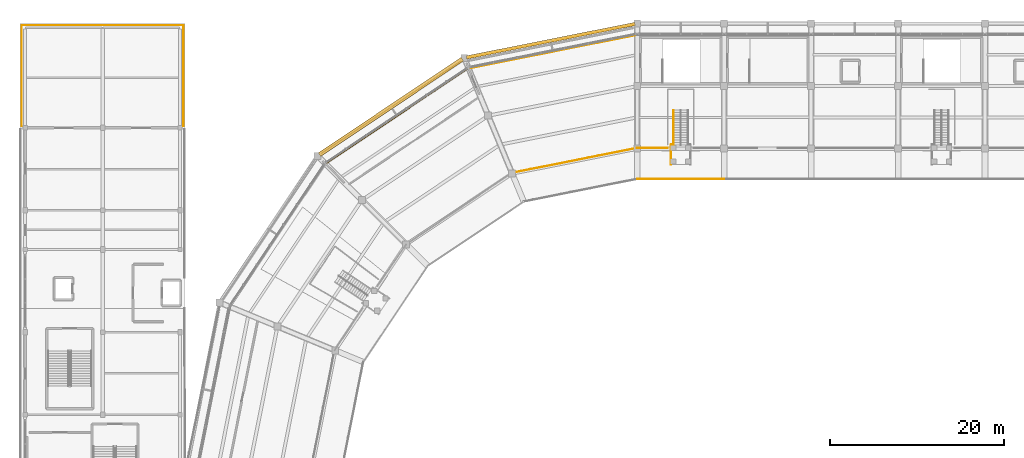
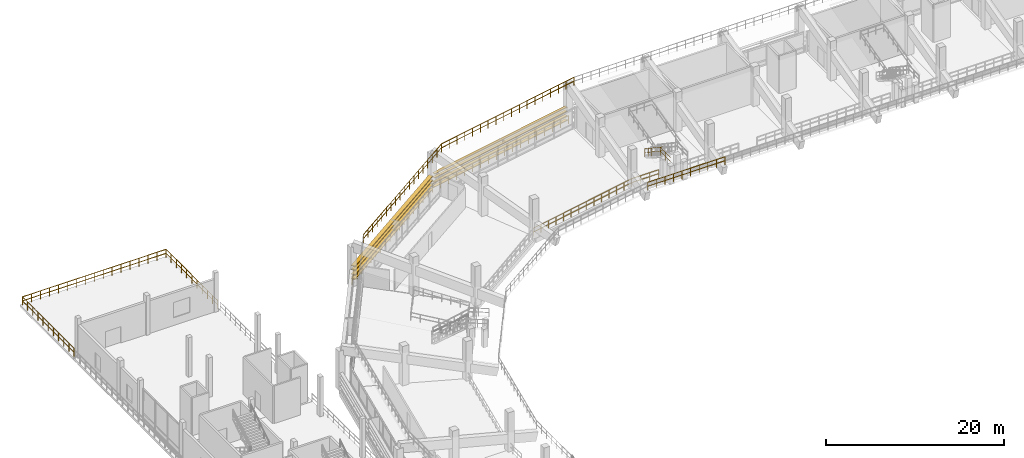
# One storey, part 93 of 96: 11 railings, 8 shading devices.
"""IFC4 building model written with IfcOpenShell, lengths in metres."""

from ifc_helpers import new_model, si_unit, direction, frame, origin, origin_2d, place, context, subcontext, project, spatial, rectangle, circle, extrude, material, layer, layer_set, type_object, element, save


model = new_model("IFC4")

# Units and contexts
model_context = context("Model", 3, precision=1e-05, world=origin(), true_north=direction((0.0, 1.0)))
body_context = subcontext(model_context, "Body", "Model", "MODEL_VIEW")
ifc_project = project(units=[si_unit("LENGTHUNIT", "METRE"), si_unit("AREAUNIT", "SQUARE_METRE"), si_unit("VOLUMEUNIT", "CUBIC_METRE"), si_unit("PLANEANGLEUNIT", "RADIAN"), si_unit("MASSUNIT", "GRAM", prefix="KILO")], contexts=[model_context])

# Site, building, storey
site_placement = place(None, origin())
site = spatial("IfcSite", under=ifc_project, at=site_placement, CompositionType="ELEMENT")
building_placement = place(site_placement, origin())
building = spatial("IfcBuilding", under=site, at=building_placement, Name="Candeia Ridge Stadium", CompositionType="ELEMENT")
storey_placement = place(building_placement, frame((0.0, 0.0, 21.60009765625)))
storey = spatial("IfcBuildingStorey", under=building, at=storey_placement, Name="L04", CompositionType="ELEMENT", Elevation=21.60009765625)

# Railings
ifc_material_1 = material(Name="Laminated Glass & Stainless Steel", Category="steel")
ifc_layer_1 = layer(ifc_material_1, 0.080078125, Name="Laminated Glass & Stainless Steel", Category="steel")
ifc_layer_set_1 = layer_set([ifc_layer_1], Name="Laminated Glass & Stainless Steel")
railing_type_1 = type_object("IfcRailingType", Name="Planted Terrace Glass-Steel Guard 1150", PredefinedType="BALUSTRADE", material=ifc_layer_set_1)
railing_1_placement = place(storey_placement, frame((0.199951171875, 135.199951171875, 0.0)))
element("IfcRailing", 1, at=railing_1_placement, inside=storey, type_object=railing_type_1, Name="Terrace perimeter balustrade GR-TER-211", PredefinedType="BALUSTRADE", context=body_context, shape_type="SweptSolid", body=[
    extrude(circle(Radius=0.02392578125, at=origin_2d()), frame((0.0, 0.0, 1.1259765625), z_axis=(0.0, 1.0, 0.0), x_axis=(-1.0, 0.0, 0.0)), (0.0, 0.0, 1.0), 11.60009765625),
    extrude(circle(Radius=0.02392578125, at=origin_2d()), frame((0.0, 0.0, 0.574951171875), z_axis=(0.0, 1.0, 0.0), x_axis=(-1.0, 0.0, 0.0)), (0.0, 0.0, 1.0), 11.60009765625),
    extrude(circle(Radius=0.02099609375, at=origin_2d()), origin(), (0.0, 0.0, 1.0), 1.101806640625),
    extrude(circle(Radius=0.02099609375, at=origin_2d()), frame((0.0, 1.159912109375, 0.0)), (0.0, 0.0, 1.0), 1.101806640625),
    extrude(circle(Radius=0.02099609375, at=origin_2d()), frame((0.0, 2.320068359375, 0.0)), (0.0, 0.0, 1.0), 1.101806640625),
    extrude(circle(Radius=0.02099609375, at=origin_2d()), frame((0.0, 3.47998046875, 0.0)), (0.0, 0.0, 1.0), 1.101806640625),
    extrude(circle(Radius=0.02099609375, at=origin_2d()), frame((0.0, 4.64013671875, 0.0)), (0.0, 0.0, 1.0), 1.101806640625),
    extrude(circle(Radius=0.02099609375, at=origin_2d()), frame((0.0, 5.800048828125, 0.0)), (0.0, 0.0, 1.0), 1.101806640625),
    extrude(circle(Radius=0.02099609375, at=origin_2d()), frame((0.0, 6.9599609375, 0.0)), (0.0, 0.0, 1.0), 1.101806640625),
    extrude(circle(Radius=0.02099609375, at=origin_2d()), frame((0.0, 8.1201171875, 0.0)), (0.0, 0.0, 1.0), 1.101806640625),
    extrude(circle(Radius=0.02099609375, at=origin_2d()), frame((0.0, 9.280029296875, 0.0)), (0.0, 0.0, 1.0), 1.101806640625),
    extrude(circle(Radius=0.02099609375, at=origin_2d()), frame((0.0, 10.440185546875, 0.0)), (0.0, 0.0, 1.0), 1.101806640625),
    extrude(circle(Radius=0.02099609375, at=origin_2d()), frame((0.0, 11.60009765625, 0.0)), (0.0, 0.0, 1.0), 1.101806640625),
])
railing_2_placement = place(storey_placement, frame((0.199951171875, 146.800048828125, 0.0)))
element("IfcRailing", 2, at=railing_2_placement, inside=storey, type_object=railing_type_1, Name="Terrace perimeter balustrade GR-TER-212", PredefinedType="BALUSTRADE", context=body_context, shape_type="SweptSolid", body=[
    extrude(circle(Radius=0.02392578125, at=origin_2d()), frame((0.0, 0.0, 1.1259765625), z_axis=(1.0, 0.0, 0.0), x_axis=(0.0, 1.0, 0.0)), (0.0, 0.0, 1.0), 18.60009765625),
    extrude(circle(Radius=0.02392578125, at=origin_2d()), frame((0.0, 0.0, 0.574951171875), z_axis=(1.0, 0.0, 0.0), x_axis=(0.0, 1.0, 0.0)), (0.0, 0.0, 1.0), 18.60009765625),
    extrude(circle(Radius=0.02099609375, at=origin_2d()), origin(), (0.0, 0.0, 1.0), 1.101806640625),
    extrude(circle(Radius=0.02099609375, at=origin_2d()), frame((1.16259765625, 0.0, 0.0)), (0.0, 0.0, 1.0), 1.101806640625),
    extrude(circle(Radius=0.02099609375, at=origin_2d()), frame((2.324951171875, 0.0, 0.0)), (0.0, 0.0, 1.0), 1.101806640625),
    extrude(circle(Radius=0.02099609375, at=origin_2d()), frame((3.487548828125, 0.0, 0.0)), (0.0, 0.0, 1.0), 1.101806640625),
    extrude(circle(Radius=0.02099609375, at=origin_2d()), frame((4.64990234375, 0.0, 0.0)), (0.0, 0.0, 1.0), 1.101806640625),
    extrude(circle(Radius=0.02099609375, at=origin_2d()), frame((5.8125, 0.0, 0.0)), (0.0, 0.0, 1.0), 1.101806640625),
    extrude(circle(Radius=0.02099609375, at=origin_2d()), frame((6.97509765625, 0.0, 0.0)), (0.0, 0.0, 1.0), 1.101806640625),
    extrude(circle(Radius=0.02099609375, at=origin_2d()), frame((8.137451171875, 0.0, 0.0)), (0.0, 0.0, 1.0), 1.101806640625),
    extrude(circle(Radius=0.02099609375, at=origin_2d()), frame((9.300048828125, 0.0, 0.0)), (0.0, 0.0, 1.0), 1.101806640625),
    extrude(circle(Radius=0.02099609375, at=origin_2d()), frame((10.462646484375, 0.0, 0.0)), (0.0, 0.0, 1.0), 1.101806640625),
    extrude(circle(Radius=0.02099609375, at=origin_2d()), frame((11.625, 0.0, 0.0)), (0.0, 0.0, 1.0), 1.101806640625),
    extrude(circle(Radius=0.02099609375, at=origin_2d()), frame((12.78759765625, 0.0, 0.0)), (0.0, 0.0, 1.0), 1.101806640625),
    extrude(circle(Radius=0.02099609375, at=origin_2d()), frame((13.9501953125, 0.0, 0.0)), (0.0, 0.0, 1.0), 1.101806640625),
    extrude(circle(Radius=0.02099609375, at=origin_2d()), frame((15.112548828125, 0.0, 0.0)), (0.0, 0.0, 1.0), 1.101806640625),
    extrude(circle(Radius=0.02099609375, at=origin_2d()), frame((16.275146484375, 0.0, 0.0)), (0.0, 0.0, 1.0), 1.101806640625),
    extrude(circle(Radius=0.02099609375, at=origin_2d()), frame((17.4375, 0.0, 0.0)), (0.0, 0.0, 1.0), 1.101806640625),
    extrude(circle(Radius=0.02099609375, at=origin_2d()), frame((18.60009765625, 0.0, 0.0)), (0.0, 0.0, 1.0), 1.101806640625),
])
railing_3_placement = place(storey_placement, frame((18.800048828125, 146.800048828125, 0.0)))
element("IfcRailing", 3, at=railing_3_placement, inside=storey, type_object=railing_type_1, Name="Terrace perimeter balustrade GR-TER-213", PredefinedType="BALUSTRADE", context=body_context, shape_type="SweptSolid", body=[
    extrude(circle(Radius=0.02392578125, at=origin_2d()), frame((0.0, 0.0, 1.1259765625), z_axis=(0.0, -1.0, 0.0), x_axis=(1.0, 0.0, 0.0)), (0.0, 0.0, 1.0), 11.60009765625),
    extrude(circle(Radius=0.02392578125, at=origin_2d()), frame((0.0, 0.0, 0.574951171875), z_axis=(0.0, -1.0, 0.0), x_axis=(1.0, 0.0, 0.0)), (0.0, 0.0, 1.0), 11.60009765625),
    extrude(circle(Radius=0.02099609375, at=origin_2d()), origin(), (0.0, 0.0, 1.0), 1.101806640625),
    extrude(circle(Radius=0.02099609375, at=origin_2d()), frame((0.0, -1.159912109375, 0.0)), (0.0, 0.0, 1.0), 1.101806640625),
    extrude(circle(Radius=0.02099609375, at=origin_2d()), frame((0.0, -2.320068359375, 0.0)), (0.0, 0.0, 1.0), 1.101806640625),
    extrude(circle(Radius=0.02099609375, at=origin_2d()), frame((0.0, -3.47998046875, 0.0)), (0.0, 0.0, 1.0), 1.101806640625),
    extrude(circle(Radius=0.02099609375, at=origin_2d()), frame((0.0, -4.64013671875, 0.0)), (0.0, 0.0, 1.0), 1.101806640625),
    extrude(circle(Radius=0.02099609375, at=origin_2d()), frame((0.0, -5.800048828125, 0.0)), (0.0, 0.0, 1.0), 1.101806640625),
    extrude(circle(Radius=0.02099609375, at=origin_2d()), frame((0.0, -6.9599609375, 0.0)), (0.0, 0.0, 1.0), 1.101806640625),
    extrude(circle(Radius=0.02099609375, at=origin_2d()), frame((0.0, -8.1201171875, 0.0)), (0.0, 0.0, 1.0), 1.101806640625),
    extrude(circle(Radius=0.02099609375, at=origin_2d()), frame((0.0, -9.280029296875, 0.0)), (0.0, 0.0, 1.0), 1.101806640625),
    extrude(circle(Radius=0.02099609375, at=origin_2d()), frame((0.0, -10.440185546875, 0.0)), (0.0, 0.0, 1.0), 1.101806640625),
    extrude(circle(Radius=0.02099609375, at=origin_2d()), frame((0.0, -11.60009765625, 0.0)), (0.0, 0.0, 1.0), 1.101806640625),
])
ifc_material_2 = material(Name="Galvanized Powder-Coated Steel", Category="steel")
ifc_layer_2 = layer(ifc_material_2, 0.074951171875, Name="Galvanized Powder-Coated Steel", Category="steel")
ifc_layer_set_2 = layer_set([ifc_layer_2], Name="Galvanized Powder-Coated Steel")
railing_type_2 = type_object("IfcRailingType", Name="Spectator Bowl Front Guardrail 1120", PredefinedType="GUARDRAIL", material=ifc_layer_set_2)
railing_4_placement = place(storey_placement, frame((81.0, 129.1201171875, 1.64990234375)))
element("IfcRailing", 4, at=railing_4_placement, inside=storey, type_object=railing_type_2, Name="Stand T3 front safety guardrail bay 07", PredefinedType="GUARDRAIL", context=body_context, shape_type="SweptSolid", body=[
    extrude(circle(Radius=0.02392578125, at=origin_2d()), frame((0.0, 0.0, 1.09619140625), z_axis=(-1.0, 0.0, 0.0), x_axis=(0.0, -1.0, 0.0)), (0.0, 0.0, 1.0), 10.0),
    extrude(circle(Radius=0.02392578125, at=origin_2d()), frame((0.0, 0.0, 0.56005859375), z_axis=(-1.0, 0.0, 0.0), x_axis=(0.0, -1.0, 0.0)), (0.0, 0.0, 1.0), 10.0),
    extrude(circle(Radius=0.02099609375, at=origin_2d()), origin(), (0.0, 0.0, 1.0), 1.072021484375),
    extrude(circle(Radius=0.02099609375, at=origin_2d()), frame((-1.111083984375, 0.0, 0.0)), (0.0, 0.0, 1.0), 1.072021484375),
    extrude(circle(Radius=0.02099609375, at=origin_2d()), frame((-2.22216796875, 0.0, 0.0)), (0.0, 0.0, 1.0), 1.072021484375),
    extrude(circle(Radius=0.02099609375, at=origin_2d()), frame((-3.333251953125, 0.0, 0.0)), (0.0, 0.0, 1.0), 1.072021484375),
    extrude(circle(Radius=0.02099609375, at=origin_2d()), frame((-4.4443359375, 0.0, 0.0)), (0.0, 0.0, 1.0), 1.072021484375),
    extrude(circle(Radius=0.02099609375, at=origin_2d()), frame((-5.5556640625, 0.0, 0.0)), (0.0, 0.0, 1.0), 1.072021484375),
    extrude(circle(Radius=0.02099609375, at=origin_2d()), frame((-6.666748046875, 0.0, 0.0)), (0.0, 0.0, 1.0), 1.072021484375),
    extrude(circle(Radius=0.02099609375, at=origin_2d()), frame((-7.77783203125, 0.0, 0.0)), (0.0, 0.0, 1.0), 1.072021484375),
    extrude(circle(Radius=0.02099609375, at=origin_2d()), frame((-8.888916015625, 0.0, 0.0)), (0.0, 0.0, 1.0), 1.072021484375),
    extrude(circle(Radius=0.02099609375, at=origin_2d()), frame((-10.0, 0.0, 0.0)), (0.0, 0.0, 1.0), 1.072021484375),
])
railing_5_placement = place(storey_placement, frame((71.0, 145.679931640625, 6.0)))
element("IfcRailing", 5, at=railing_5_placement, inside=storey, type_object=railing_type_2, Name="Stand T3 rear safety guardrail bay 08", PredefinedType="GUARDRAIL", context=body_context, shape_type="SweptSolid", body=[
    extrude(circle(Radius=0.02392578125, at=origin_2d()), frame((0.0, 0.0, 1.09619140625), z_axis=(-0.980786224287, -0.195085576731, 0.0), x_axis=(0.195085576731, -0.980786224287, 0.0)), (0.0, 0.0, 1.0), 19.774169921875),
    extrude(circle(Radius=0.02392578125, at=origin_2d()), frame((0.0, 0.0, 0.56005859375), z_axis=(-0.980786224287, -0.195085576731, 0.0), x_axis=(0.195085576731, -0.980786224287, 0.0)), (0.0, 0.0, 1.0), 19.774169921875),
    extrude(circle(Radius=0.02099609375, at=origin_2d()), origin(), (0.0, 0.0, 1.0), 1.072021484375),
    extrude(circle(Radius=0.02099609375, at=origin_2d()), frame((-1.140869140625, -0.226806640625, 0.0)), (0.0, 0.0, 1.0), 1.072021484375),
    extrude(circle(Radius=0.02099609375, at=origin_2d()), frame((-2.28173828125, -0.453857421875, 0.0)), (0.0, 0.0, 1.0), 1.072021484375),
    extrude(circle(Radius=0.02099609375, at=origin_2d()), frame((-3.422607421875, -0.6806640625, 0.0)), (0.0, 0.0, 1.0), 1.072021484375),
    extrude(circle(Radius=0.02099609375, at=origin_2d()), frame((-4.5634765625, -0.90771484375, 0.0)), (0.0, 0.0, 1.0), 1.072021484375),
    extrude(circle(Radius=0.02099609375, at=origin_2d()), frame((-5.7041015625, -1.134521484375, 0.0)), (0.0, 0.0, 1.0), 1.072021484375),
    extrude(circle(Radius=0.02099609375, at=origin_2d()), frame((-6.844970703125, -1.361572265625, 0.0)), (0.0, 0.0, 1.0), 1.072021484375),
    extrude(circle(Radius=0.02099609375, at=origin_2d()), frame((-7.98583984375, -1.58837890625, 0.0)), (0.0, 0.0, 1.0), 1.072021484375),
    extrude(circle(Radius=0.02099609375, at=origin_2d()), frame((-9.126708984375, -1.8154296875, 0.0)), (0.0, 0.0, 1.0), 1.072021484375),
    extrude(circle(Radius=0.02099609375, at=origin_2d()), frame((-10.267578125, -2.042236328125, 0.0)), (0.0, 0.0, 1.0), 1.072021484375),
    extrude(circle(Radius=0.02099609375, at=origin_2d()), frame((-11.408447265625, -2.269287109375, 0.0)), (0.0, 0.0, 1.0), 1.072021484375),
    extrude(circle(Radius=0.02099609375, at=origin_2d()), frame((-12.54931640625, -2.49609375, 0.0)), (0.0, 0.0, 1.0), 1.072021484375),
    extrude(circle(Radius=0.02099609375, at=origin_2d()), frame((-13.690185546875, -2.72314453125, 0.0)), (0.0, 0.0, 1.0), 1.072021484375),
    extrude(circle(Radius=0.02099609375, at=origin_2d()), frame((-14.830810546875, -2.949951171875, 0.0)), (0.0, 0.0, 1.0), 1.072021484375),
    extrude(circle(Radius=0.02099609375, at=origin_2d()), frame((-15.9716796875, -3.177001953125, 0.0)), (0.0, 0.0, 1.0), 1.072021484375),
    extrude(circle(Radius=0.02099609375, at=origin_2d()), frame((-17.112548828125, -3.40380859375, 0.0)), (0.0, 0.0, 1.0), 1.072021484375),
    extrude(circle(Radius=0.02099609375, at=origin_2d()), frame((-18.25341796875, -3.630859375, 0.0)), (0.0, 0.0, 1.0), 1.072021484375),
    extrude(circle(Radius=0.02099609375, at=origin_2d()), frame((-19.394287109375, -3.857666015625, 0.0)), (0.0, 0.0, 1.0), 1.072021484375),
])
railing_6_placement = place(storey_placement, frame((51.605712890625, 141.822265625, 6.0)))
element("IfcRailing", 6, at=railing_6_placement, inside=storey, type_object=railing_type_2, Name="Stand T3 rear safety guardrail bay 09", PredefinedType="GUARDRAIL", context=body_context, shape_type="SweptSolid", body=[
    extrude(circle(Radius=0.02392578125, at=origin_2d()), frame((0.0, 0.0, 1.09619140625), z_axis=(-0.831470516544, -0.555568879725, 0.0), x_axis=(0.555568879725, -0.831470516544, 0.0)), (0.0, 0.0, 1.0), 19.7744140625),
    extrude(circle(Radius=0.02392578125, at=origin_2d()), frame((0.0, 0.0, 0.56005859375), z_axis=(-0.831470516544, -0.555568879725, 0.0), x_axis=(0.555568879725, -0.831470516544, 0.0)), (0.0, 0.0, 1.0), 19.7744140625),
    extrude(circle(Radius=0.02099609375, at=origin_2d()), origin(), (0.0, 0.0, 1.0), 1.072021484375),
    extrude(circle(Radius=0.02099609375, at=origin_2d()), frame((-0.96728515625, -0.646240234375, 0.0)), (0.0, 0.0, 1.0), 1.072021484375),
    extrude(circle(Radius=0.02099609375, at=origin_2d()), frame((-1.934326171875, -1.29248046875, 0.0)), (0.0, 0.0, 1.0), 1.072021484375),
    extrude(circle(Radius=0.02099609375, at=origin_2d()), frame((-2.901611328125, -1.938720703125, 0.0)), (0.0, 0.0, 1.0), 1.072021484375),
    extrude(circle(Radius=0.02099609375, at=origin_2d()), frame((-3.86865234375, -2.5849609375, 0.0)), (0.0, 0.0, 1.0), 1.072021484375),
    extrude(circle(Radius=0.02099609375, at=origin_2d()), frame((-4.8359375, -3.231201171875, 0.0)), (0.0, 0.0, 1.0), 1.072021484375),
    extrude(circle(Radius=0.02099609375, at=origin_2d()), frame((-5.802978515625, -3.87744140625, 0.0)), (0.0, 0.0, 1.0), 1.072021484375),
    extrude(circle(Radius=0.02099609375, at=origin_2d()), frame((-6.770263671875, -4.523681640625, 0.0)), (0.0, 0.0, 1.0), 1.072021484375),
    extrude(circle(Radius=0.02099609375, at=origin_2d()), frame((-7.7373046875, -5.169921875, 0.0)), (0.0, 0.0, 1.0), 1.072021484375),
    extrude(circle(Radius=0.02099609375, at=origin_2d()), frame((-8.70458984375, -5.816162109375, 0.0)), (0.0, 0.0, 1.0), 1.072021484375),
    extrude(circle(Radius=0.02099609375, at=origin_2d()), frame((-9.671630859375, -6.46240234375, 0.0)), (0.0, 0.0, 1.0), 1.072021484375),
    extrude(circle(Radius=0.02099609375, at=origin_2d()), frame((-10.638916015625, -7.108642578125, 0.0)), (0.0, 0.0, 1.0), 1.072021484375),
    extrude(circle(Radius=0.02099609375, at=origin_2d()), frame((-11.60595703125, -7.7548828125, 0.0)), (0.0, 0.0, 1.0), 1.072021484375),
    extrude(circle(Radius=0.02099609375, at=origin_2d()), frame((-12.5732421875, -8.401123046875, 0.0)), (0.0, 0.0, 1.0), 1.072021484375),
    extrude(circle(Radius=0.02099609375, at=origin_2d()), frame((-13.540283203125, -9.04736328125, 0.0)), (0.0, 0.0, 1.0), 1.072021484375),
    extrude(circle(Radius=0.02099609375, at=origin_2d()), frame((-14.507568359375, -9.693603515625, 0.0)), (0.0, 0.0, 1.0), 1.072021484375),
    extrude(circle(Radius=0.02099609375, at=origin_2d()), frame((-15.474609375, -10.33984375, 0.0)), (0.0, 0.0, 1.0), 1.072021484375),
    extrude(circle(Radius=0.02099609375, at=origin_2d()), frame((-16.44189453125, -10.986083984375, 0.0)), (0.0, 0.0, 1.0), 1.072021484375),
])
railing_7_placement = place(storey_placement, frame((34.23046875, 131.76953125, 0.0)))
element("IfcRailing", 7, at=railing_7_placement, inside=storey, type_object=railing_type_2, Name="Deck edge safety guardrail GR-DE-L04-0191", PredefinedType="GUARDRAIL", context=body_context, shape_type="SweptSolid", body=[
    extrude(circle(Radius=0.02392578125, at=origin_2d()), frame((0.0, 0.0, 1.09619140625), z_axis=(0.83349543364, 0.552526345165, 0.0), x_axis=(-0.552526345165, 0.83349543364, 0.0)), (0.0, 0.0, 1.0), 20.259033203125),
    extrude(circle(Radius=0.02392578125, at=origin_2d()), frame((0.0, 0.0, 0.56005859375), z_axis=(0.83349543364, 0.552526345165, 0.0), x_axis=(-0.552526345165, 0.83349543364, 0.0)), (0.0, 0.0, 1.0), 20.259033203125),
    extrude(circle(Radius=0.02099609375, at=origin_2d()), origin(), (0.0, 0.0, 1.0), 1.072021484375),
    extrude(circle(Radius=0.02099609375, at=origin_2d()), frame((0.9931640625, 0.658447265625, 0.0)), (0.0, 0.0, 1.0), 1.072021484375),
    extrude(circle(Radius=0.02099609375, at=origin_2d()), frame((1.986572265625, 1.31689453125, 0.0)), (0.0, 0.0, 1.0), 1.072021484375),
    extrude(circle(Radius=0.02099609375, at=origin_2d()), frame((2.979736328125, 1.975341796875, 0.0)), (0.0, 0.0, 1.0), 1.072021484375),
    extrude(circle(Radius=0.02099609375, at=origin_2d()), frame((3.97314453125, 2.6337890625, 0.0)), (0.0, 0.0, 1.0), 1.072021484375),
    extrude(circle(Radius=0.02099609375, at=origin_2d()), frame((4.96630859375, 3.292236328125, 0.0)), (0.0, 0.0, 1.0), 1.072021484375),
    extrude(circle(Radius=0.02099609375, at=origin_2d()), frame((5.959716796875, 3.95068359375, 0.0)), (0.0, 0.0, 1.0), 1.072021484375),
    extrude(circle(Radius=0.02099609375, at=origin_2d()), frame((6.952880859375, 4.609130859375, 0.0)), (0.0, 0.0, 1.0), 1.072021484375),
    extrude(circle(Radius=0.02099609375, at=origin_2d()), frame((7.9462890625, 5.267578125, 0.0)), (0.0, 0.0, 1.0), 1.072021484375),
    extrude(circle(Radius=0.02099609375, at=origin_2d()), frame((8.939453125, 5.926025390625, 0.0)), (0.0, 0.0, 1.0), 1.072021484375),
    extrude(circle(Radius=0.02099609375, at=origin_2d()), frame((9.932861328125, 6.58447265625, 0.0)), (0.0, 0.0, 1.0), 1.072021484375),
    extrude(circle(Radius=0.02099609375, at=origin_2d()), frame((10.926025390625, 7.242919921875, 0.0)), (0.0, 0.0, 1.0), 1.072021484375),
    extrude(circle(Radius=0.02099609375, at=origin_2d()), frame((11.91943359375, 7.9013671875, 0.0)), (0.0, 0.0, 1.0), 1.072021484375),
    extrude(circle(Radius=0.02099609375, at=origin_2d()), frame((12.91259765625, 8.559814453125, 0.0)), (0.0, 0.0, 1.0), 1.072021484375),
    extrude(circle(Radius=0.02099609375, at=origin_2d()), frame((13.906005859375, 9.21826171875, 0.0)), (0.0, 0.0, 1.0), 1.072021484375),
    extrude(circle(Radius=0.02099609375, at=origin_2d()), frame((14.899169921875, 9.876708984375, 0.0)), (0.0, 0.0, 1.0), 1.072021484375),
    extrude(circle(Radius=0.02099609375, at=origin_2d()), frame((15.892578125, 10.53515625, 0.0)), (0.0, 0.0, 1.0), 1.072021484375),
    extrude(circle(Radius=0.02099609375, at=origin_2d()), frame((16.8857421875, 11.193603515625, 0.0)), (0.0, 0.0, 1.0), 1.072021484375),
])
railing_8_placement = place(storey_placement, frame((51.1162109375, 142.963134765625, 0.0)))
element("IfcRailing", 8, at=railing_8_placement, inside=storey, type_object=railing_type_2, Name="Deck edge safety guardrail GR-DE-L04-0192", PredefinedType="GUARDRAIL", context=body_context, shape_type="SweptSolid", body=[
    extrude(circle(Radius=0.02392578125, at=origin_2d()), frame((0.0, 0.0, 1.09619140625), z_axis=(0.980769652222, 0.195168873748, 0.0), x_axis=(-0.195168873748, 0.980769652222, 0.0)), (0.0, 0.0, 1.0), 20.273681640625),
    extrude(circle(Radius=0.02392578125, at=origin_2d()), frame((0.0, 0.0, 0.56005859375), z_axis=(0.980769652222, 0.195168873748, 0.0), x_axis=(-0.195168873748, 0.980769652222, 0.0)), (0.0, 0.0, 1.0), 20.273681640625),
    extrude(circle(Radius=0.02099609375, at=origin_2d()), origin(), (0.0, 0.0, 1.0), 1.072021484375),
    extrude(circle(Radius=0.02099609375, at=origin_2d()), frame((1.169677734375, 0.232666015625, 0.0)), (0.0, 0.0, 1.0), 1.072021484375),
    extrude(circle(Radius=0.02099609375, at=origin_2d()), frame((2.33935546875, 0.465576171875, 0.0)), (0.0, 0.0, 1.0), 1.072021484375),
    extrude(circle(Radius=0.02099609375, at=origin_2d()), frame((3.5087890625, 0.6982421875, 0.0)), (0.0, 0.0, 1.0), 1.072021484375),
    extrude(circle(Radius=0.02099609375, at=origin_2d()), frame((4.678466796875, 0.930908203125, 0.0)), (0.0, 0.0, 1.0), 1.072021484375),
    extrude(circle(Radius=0.02099609375, at=origin_2d()), frame((5.84814453125, 1.163818359375, 0.0)), (0.0, 0.0, 1.0), 1.072021484375),
    extrude(circle(Radius=0.02099609375, at=origin_2d()), frame((7.017822265625, 1.396484375, 0.0)), (0.0, 0.0, 1.0), 1.072021484375),
    extrude(circle(Radius=0.02099609375, at=origin_2d()), frame((8.1875, 1.629150390625, 0.0)), (0.0, 0.0, 1.0), 1.072021484375),
    extrude(circle(Radius=0.02099609375, at=origin_2d()), frame((9.357177734375, 1.862060546875, 0.0)), (0.0, 0.0, 1.0), 1.072021484375),
    extrude(circle(Radius=0.02099609375, at=origin_2d()), frame((10.526611328125, 2.0947265625, 0.0)), (0.0, 0.0, 1.0), 1.072021484375),
    extrude(circle(Radius=0.02099609375, at=origin_2d()), frame((11.6962890625, 2.32763671875, 0.0)), (0.0, 0.0, 1.0), 1.072021484375),
    extrude(circle(Radius=0.02099609375, at=origin_2d()), frame((12.865966796875, 2.560302734375, 0.0)), (0.0, 0.0, 1.0), 1.072021484375),
    extrude(circle(Radius=0.02099609375, at=origin_2d()), frame((14.03564453125, 2.79296875, 0.0)), (0.0, 0.0, 1.0), 1.072021484375),
    extrude(circle(Radius=0.02099609375, at=origin_2d()), frame((15.205322265625, 3.02587890625, 0.0)), (0.0, 0.0, 1.0), 1.072021484375),
    extrude(circle(Radius=0.02099609375, at=origin_2d()), frame((16.375, 3.258544921875, 0.0)), (0.0, 0.0, 1.0), 1.072021484375),
    extrude(circle(Radius=0.02099609375, at=origin_2d()), frame((17.54443359375, 3.4912109375, 0.0)), (0.0, 0.0, 1.0), 1.072021484375),
    extrude(circle(Radius=0.02099609375, at=origin_2d()), frame((18.714111328125, 3.72412109375, 0.0)), (0.0, 0.0, 1.0), 1.072021484375),
    extrude(circle(Radius=0.02099609375, at=origin_2d()), frame((19.8837890625, 3.956787109375, 0.0)), (0.0, 0.0, 1.0), 1.072021484375),
])
railing_9_placement = place(storey_placement, frame((74.47998046875, 132.679931640625, 0.0)))
element("IfcRailing", 9, at=railing_9_placement, inside=storey, type_object=railing_type_2, Name="Deck edge safety guardrail GR-DE-L04-0234", PredefinedType="GUARDRAIL", context=body_context, shape_type="SweptSolid", body=[
    extrude(circle(Radius=0.02392578125, at=origin_2d()), frame((0.0, 0.0, 1.09619140625), z_axis=(-0.999999912197, -0.000419052904, 0.0), x_axis=(0.000419052904, -0.999999912197, 0.0)), (0.0, 0.0, 1.0), 3.49560546875),
    extrude(circle(Radius=0.02392578125, at=origin_2d()), frame((0.0, 0.0, 0.56005859375), z_axis=(-0.999999912197, -0.000419052904, 0.0), x_axis=(0.000419052904, -0.999999912197, 0.0)), (0.0, 0.0, 1.0), 3.49560546875),
    extrude(circle(Radius=0.02099609375, at=origin_2d()), origin(), (0.0, 0.0, 1.0), 1.072021484375),
    extrude(circle(Radius=0.02099609375, at=origin_2d()), frame((-1.165283203125, -0.00048828125, 0.0)), (0.0, 0.0, 1.0), 1.072021484375),
    extrude(circle(Radius=0.02099609375, at=origin_2d()), frame((-2.330322265625, -0.0009765625, 0.0)), (0.0, 0.0, 1.0), 1.072021484375),
    extrude(circle(Radius=0.02099609375, at=origin_2d()), frame((-3.49560546875, -0.00146484375, 0.0)), (0.0, 0.0, 1.0), 1.072021484375),
])
railing_10_placement = place(storey_placement, frame((70.984375, 132.678466796875, 0.0)))
element("IfcRailing", 10, at=railing_10_placement, inside=storey, type_object=railing_type_2, Name="Deck edge safety guardrail GR-DE-L04-0235", PredefinedType="GUARDRAIL", context=body_context, shape_type="SweptSolid", body=[
    extrude(circle(Radius=0.02392578125, at=origin_2d()), frame((0.0, 0.0, 1.09619140625), z_axis=(-0.98070502773, -0.19549334665, 0.0), x_axis=(0.19549334665, -0.98070502773, 0.0)), (0.0, 0.0, 1.0), 14.701416015625),
    extrude(circle(Radius=0.02392578125, at=origin_2d()), frame((0.0, 0.0, 0.56005859375), z_axis=(-0.98070502773, -0.19549334665, 0.0), x_axis=(0.19549334665, -0.98070502773, 0.0)), (0.0, 0.0, 1.0), 14.701416015625),
    extrude(circle(Radius=0.02099609375, at=origin_2d()), origin(), (0.0, 0.0, 1.0), 1.072021484375),
    extrude(circle(Radius=0.02099609375, at=origin_2d()), frame((-1.109130859375, -0.22119140625, 0.0)), (0.0, 0.0, 1.0), 1.072021484375),
    extrude(circle(Radius=0.02099609375, at=origin_2d()), frame((-2.218017578125, -0.442138671875, 0.0)), (0.0, 0.0, 1.0), 1.072021484375),
    extrude(circle(Radius=0.02099609375, at=origin_2d()), frame((-3.3271484375, -0.663330078125, 0.0)), (0.0, 0.0, 1.0), 1.072021484375),
    extrude(circle(Radius=0.02099609375, at=origin_2d()), frame((-4.436279296875, -0.88427734375, 0.0)), (0.0, 0.0, 1.0), 1.072021484375),
    extrude(circle(Radius=0.02099609375, at=origin_2d()), frame((-5.545166015625, -1.10546875, 0.0)), (0.0, 0.0, 1.0), 1.072021484375),
    extrude(circle(Radius=0.02099609375, at=origin_2d()), frame((-6.654296875, -1.326416015625, 0.0)), (0.0, 0.0, 1.0), 1.072021484375),
    extrude(circle(Radius=0.02099609375, at=origin_2d()), frame((-7.763427734375, -1.547607421875, 0.0)), (0.0, 0.0, 1.0), 1.072021484375),
    extrude(circle(Radius=0.02099609375, at=origin_2d()), frame((-8.87255859375, -1.7685546875, 0.0)), (0.0, 0.0, 1.0), 1.072021484375),
    extrude(circle(Radius=0.02099609375, at=origin_2d()), frame((-9.9814453125, -1.98974609375, 0.0)), (0.0, 0.0, 1.0), 1.072021484375),
    extrude(circle(Radius=0.02099609375, at=origin_2d()), frame((-11.090576171875, -2.210693359375, 0.0)), (0.0, 0.0, 1.0), 1.072021484375),
    extrude(circle(Radius=0.02099609375, at=origin_2d()), frame((-12.19970703125, -2.431884765625, 0.0)), (0.0, 0.0, 1.0), 1.072021484375),
    extrude(circle(Radius=0.02099609375, at=origin_2d()), frame((-13.30859375, -2.65283203125, 0.0)), (0.0, 0.0, 1.0), 1.072021484375),
    extrude(circle(Radius=0.02099609375, at=origin_2d()), frame((-14.417724609375, -2.8740234375, 0.0)), (0.0, 0.0, 1.0), 1.072021484375),
])
ifc_layer_3 = layer(ifc_material_2, 0.070068359375, Name="Galvanized Powder-Coated Steel", Category="steel")
ifc_layer_set_3 = layer_set([ifc_layer_3], Name="Galvanized Powder-Coated Steel")
railing_type_3 = type_object("IfcRailingType", Name="Vomitory Portal Guardrail 1100", PredefinedType="GUARDRAIL", material=ifc_layer_set_3)
railing_11_placement = place(storey_placement, frame((75.179931640625, 137.02197265625, 0.0)))
element("IfcRailing", 11, at=railing_11_placement, inside=storey, type_object=railing_type_3, Name="Vomitory stair & landing side guardrail VS27-R", PredefinedType="GUARDRAIL", context=body_context, shape_type="SweptSolid", body=[
    extrude(circle(Radius=0.02392578125, at=origin_2d()), frame((0.0, 0.0, 1.076171875), z_axis=(0.0, -0.828790466984, 0.559559078058), x_axis=(1.0, 0.0, 0.0)), (0.0, 0.0, 1.0), 4.814208984375),
    extrude(circle(Radius=0.02392578125, at=origin_2d()), frame((0.0, 0.0, 0.550048828125), z_axis=(0.0, -0.828790466984, 0.559559078058), x_axis=(1.0, 0.0, 0.0)), (0.0, 0.0, 1.0), 4.814208984375),
    extrude(circle(Radius=0.02392578125, at=origin_2d()), frame((0.0, -3.989990234375, 3.77001953125), z_axis=(-0.989932225045, 0.141542183877, 0.0), x_axis=(-0.141542183877, -0.989932225045, 0.0)), (0.0, 0.0, 1.0), 0.282958984375),
    extrude(circle(Radius=0.02392578125, at=origin_2d()), frame((0.0, -3.989990234375, 3.243896484375), z_axis=(-0.989932225045, 0.141542183877, 0.0), x_axis=(-0.141542183877, -0.989932225045, 0.0)), (0.0, 0.0, 1.0), 0.282958984375),
    extrude(circle(Radius=0.02392578125, at=origin_2d()), frame((-0.280029296875, -3.949951171875, 3.77001953125), z_axis=(0.0, -1.0, 0.0), x_axis=(1.0, 0.0, 0.0)), (0.0, 0.0, 1.0), 2.320068359375),
    extrude(circle(Radius=0.02392578125, at=origin_2d()), frame((-0.280029296875, -3.949951171875, 3.243896484375), z_axis=(0.0, -1.0, 0.0), x_axis=(1.0, 0.0, 0.0)), (0.0, 0.0, 1.0), 2.320068359375),
    extrude(circle(Radius=0.02099609375, at=origin_2d()), origin(), (0.0, 0.0, 1.0), 1.052001953125),
    extrude(circle(Radius=0.02099609375, at=origin_2d()), frame((0.0, -0.798095703125, 0.538818359375)), (0.0, 0.0, 1.0), 1.052001953125),
    extrude(circle(Radius=0.02099609375, at=origin_2d()), frame((0.0, -1.595947265625, 1.07763671875)), (0.0, 0.0, 1.0), 1.052001953125),
    extrude(circle(Radius=0.02099609375, at=origin_2d()), frame((0.0, -2.39404296875, 1.6162109375)), (0.0, 0.0, 1.0), 1.052001953125),
    extrude(circle(Radius=0.02099609375, at=origin_2d()), frame((0.0, -3.19189453125, 2.155029296875)), (0.0, 0.0, 1.0), 1.052001953125),
    extrude(circle(Radius=0.02099609375, at=origin_2d()), frame((0.0, -3.989990234375, 2.69384765625)), (0.0, 0.0, 1.0), 1.052001953125),
    extrude(circle(Radius=0.02099609375, at=origin_2d()), frame((-0.280029296875, -3.949951171875, 2.69384765625)), (0.0, 0.0, 1.0), 1.052001953125),
    extrude(circle(Radius=0.02099609375, at=origin_2d()), frame((-0.280029296875, -5.10986328125, 2.69384765625)), (0.0, 0.0, 1.0), 1.052001953125),
    extrude(circle(Radius=0.02099609375, at=origin_2d()), frame((-0.280029296875, -6.27001953125, 2.69384765625)), (0.0, 0.0, 1.0), 1.052001953125),
])

# Shading devices
ifc_material_3 = material(Name="Aluminium Anodized Warm Bronze", Category="aluminium")
shading_device_type_1 = type_object("IfcShadingDeviceType", Name="Weathered Bronze Horizontal Solar Rib 380x85", PredefinedType="JALOUSIE", material=ifc_material_3)
for number, where, z_axis, x_axis, name in (
    (12, (61.05029296875, 145.020751953125, 0.5673828125), (0.0, 0.0, 1.0), (-0.980785282416, -0.195090311899, 0.0), "Weathered bronze horizontal solar rib L04 bay 08-1"),
    (13, (61.05029296875, 145.020751953125, 1.17724609375), (0.0, 0.0, 1.0), (-0.980785282416, -0.195090311899, 0.0), "Weathered bronze horizontal solar rib L04 bay 08-2"),
    (14, (61.05029296875, 145.020751953125, 1.787109375), (0.0, 0.0, 1.0), (-0.980785282416, -0.195090311899, 0.0), "Weathered bronze horizontal solar rib L04 bay 08-3"),
    (15, (61.05029296875, 145.020751953125, 2.341552734375), (0.0, 0.0, 1.0), (-0.980785282416, -0.195090311899, 0.0), "Weathered bronze horizontal solar rib L04 bay 08-4"),
):
    element("IfcShadingDevice", number, at=place(storey_placement, frame(where, z_axis=z_axis, x_axis=x_axis)), inside=storey, type_object=shading_device_type_1, Name=name, PredefinedType="JALOUSIE", context=body_context, shape_type="SweptSolid", body=[
        extrude(rectangle(XDim=19.789306640625, YDim=0.3798828125, at=origin_2d()), origin(), (0.0, 0.0, 1.0), 0.0849609375),
    ])
shading_device_type_2 = type_object("IfcShadingDeviceType", Name="Weathered Bronze Horizontal Solar Rib 500x105", PredefinedType="JALOUSIE", material=ifc_material_3)
for number, where, z_axis, x_axis, name in (
    (16, (42.66552734375, 137.40576171875, 0.557373046875), (0.0, 0.0, 1.0), (-0.831469626973, -0.555570211063, 0.0), "Weathered bronze horizontal solar rib L04 bay 09-1"),
    (17, (42.66552734375, 137.40576171875, 1.167236328125), (0.0, 0.0, 1.0), (-0.831469626973, -0.555570211063, 0.0), "Weathered bronze horizontal solar rib L04 bay 09-2"),
    (18, (42.66552734375, 137.40576171875, 1.777099609375), (0.0, 0.0, 1.0), (-0.831469626973, -0.555570211063, 0.0), "Weathered bronze horizontal solar rib L04 bay 09-3"),
    (19, (42.66552734375, 137.40576171875, 2.33154296875), (0.0, 0.0, 1.0), (-0.831469626973, -0.555570211063, 0.0), "Weathered bronze horizontal solar rib L04 bay 09-4"),
):
    element("IfcShadingDevice", number, at=place(storey_placement, frame(where, z_axis=z_axis, x_axis=x_axis)), inside=storey, type_object=shading_device_type_2, Name=name, PredefinedType="JALOUSIE", context=body_context, shape_type="SweptSolid", body=[
        extrude(rectangle(XDim=19.789306640625, YDim=0.5, at=origin_2d()), origin(), (0.0, 0.0, 1.0), 0.10498046875),
    ])

save(model, "model.ifc")
